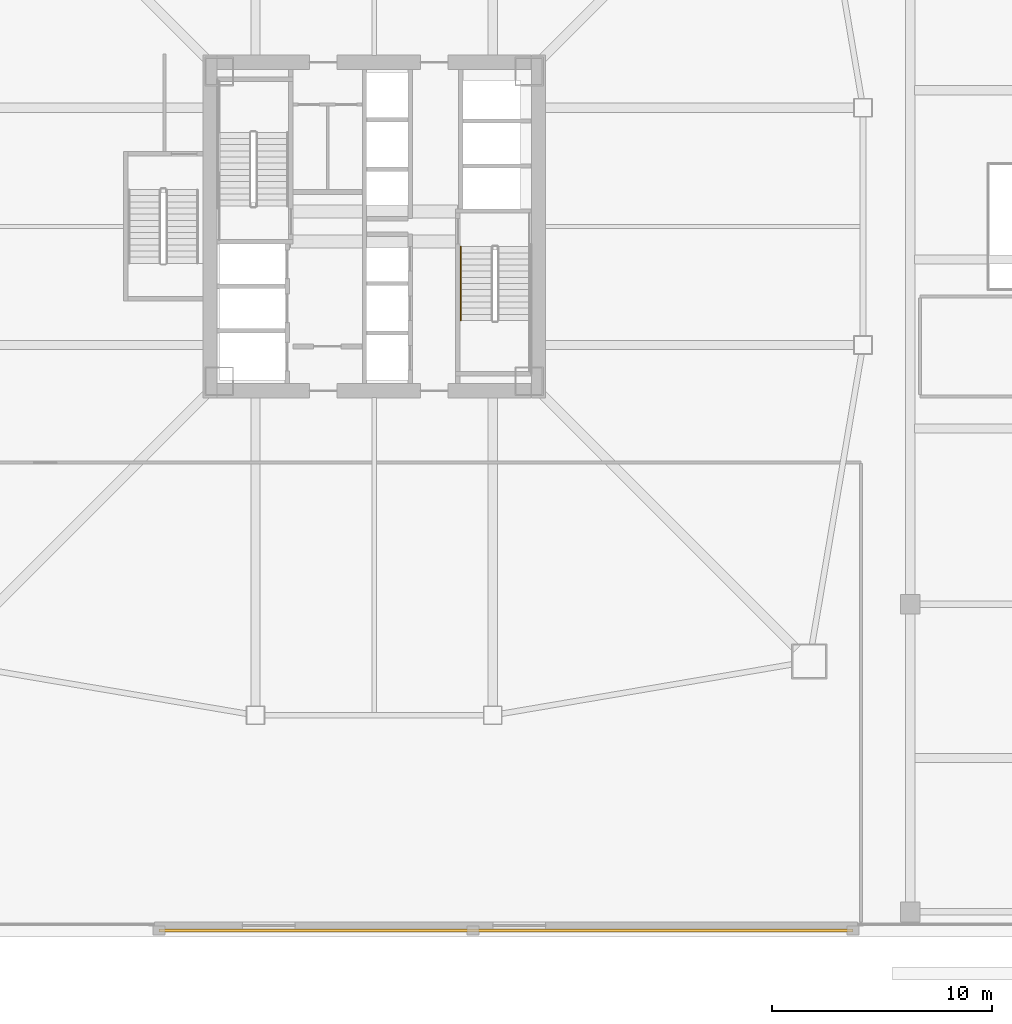
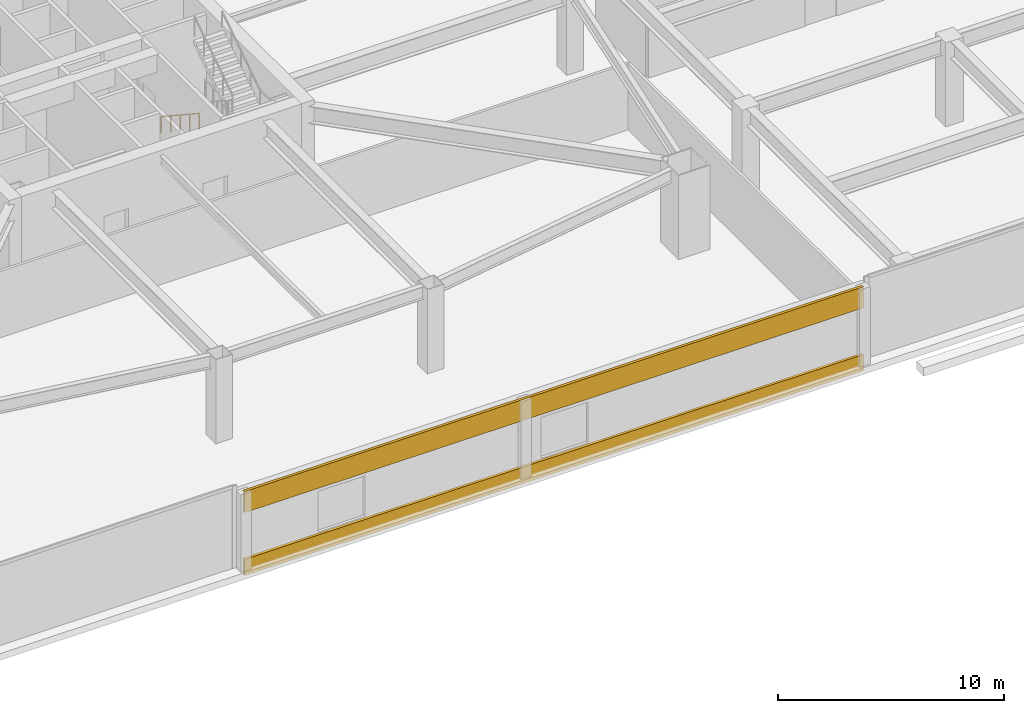
# One storey, part 37 of 44: 2 coverings, 1 railing.
"""IFC4 building model written with IfcOpenShell, lengths in metres."""

from ifc_helpers import new_model, si_unit, direction, frame, origin, origin_2d, place, context, subcontext, project, spatial, rectangle, extrude, material, layer, layer_set, type_object, element, save


model = new_model("IFC4")

# Units and contexts
model_context = context("Model", 3, precision=1e-05, world=origin(), true_north=direction((0.0, 1.0)))
body_context = subcontext(model_context, "Body", "Model", "MODEL_VIEW")
ifc_project = project(units=[si_unit("LENGTHUNIT", "METRE"), si_unit("AREAUNIT", "SQUARE_METRE"), si_unit("VOLUMEUNIT", "CUBIC_METRE"), si_unit("PLANEANGLEUNIT", "RADIAN"), si_unit("MASSUNIT", "GRAM", prefix="KILO")], contexts=[model_context])

# Site, building, storey
site_placement = place(None, origin())
site = spatial("IfcSite", under=ifc_project, at=site_placement, CompositionType="ELEMENT")
building_placement = place(site_placement, origin())
building = spatial("IfcBuilding", under=site, at=building_placement, Name="Tashvorn Skyway Center", CompositionType="ELEMENT")
storey_placement = place(building_placement, frame((0.0, 0.0, 5.39990234375)))
storey = spatial("IfcBuildingStorey", under=building, at=storey_placement, Name="L01", CompositionType="ELEMENT", Elevation=5.39990234375)

# Coverings
ifc_material_1 = material(Name="Precast concrete C40/50", Category="concrete")
ifc_layer = layer(ifc_material_1, 0.35009765625)
ifc_layer_set = layer_set([ifc_layer], Name="Precast concrete C40/50")
covering_type = type_object("IfcCoveringType", Name="COV-STONE-TRIM", PredefinedType="CLADDING", material=ifc_layer_set)
covering_1_placement = place(storey_placement, frame((48.0, -0.0400390625, 0.000244140625), z_axis=(0.0, 0.0, 1.0), x_axis=(1.0, 0.0, 0.0)))
element("IfcCovering", 1, at=covering_1_placement, inside=storey, type_object=covering_type, Name="L01 Limestone Sill Course S-M1", PredefinedType="CLADDING", context=body_context, shape_type="SweptSolid", body=[
    extrude(rectangle(XDim=31.60009765625, YDim=0.139892578125, at=origin_2d()), origin(), (0.0, 0.0, 1.0), 0.8798828125),
])
covering_2_placement = place(storey_placement, frame((48.0, -0.0400390625, 3.400390625), z_axis=(0.0, 0.0, 1.0), x_axis=(1.0, 0.0, 0.0)))
element("IfcCovering", 2, at=covering_2_placement, inside=storey, type_object=covering_type, Name="L01 Limestone Spandrel Course S-M1", PredefinedType="CLADDING", context=body_context, shape_type="SweptSolid", body=[
    extrude(rectangle(XDim=31.60009765625, YDim=0.139892578125, at=origin_2d()), origin(), (0.0, 0.0, 1.0), 1.139892578125),
])

# Railing
ifc_material_2 = material(Name="Brushed stainless steel 316", Category="steel")
railing_type = type_object("IfcRailingType", Name="RAIL-HAND-920", PredefinedType="HANDRAIL", material=ifc_material_2)
railing_placement = place(storey_placement, frame((45.949951171875, 31.080078125, 0.184814453125)))
element("IfcRailing", 3, at=railing_placement, inside=storey, type_object=railing_type, Name="L01 ST-T1-2 stair handrail 1", PredefinedType="HANDRAIL", context=body_context, shape_type="SweptSolid", body=[
    extrude(rectangle(XDim=0.048095703125, YDim=0.048095703125, at=origin_2d()), frame((0.0, 0.0, 0.8759765625), z_axis=(0.0, -0.834876476806, 0.550437342915), x_axis=(1.0, 0.0, 0.0)), (0.0, 0.0, 1.0), 4.024658203125),
    extrude(rectangle(XDim=0.0419921875, YDim=0.0419921875, at=origin_2d()), origin(), (0.0, 0.0, 1.0), 0.851806640625),
    extrude(rectangle(XDim=0.0419921875, YDim=0.0419921875, at=origin_2d()), frame((0.0, -0.840087890625, 0.5537109375)), (0.0, 0.0, 1.0), 0.851806640625),
    extrude(rectangle(XDim=0.0419921875, YDim=0.0419921875, at=origin_2d()), frame((0.0, -1.68017578125, 1.107666015625)), (0.0, 0.0, 1.0), 0.851806640625),
    extrude(rectangle(XDim=0.0419921875, YDim=0.0419921875, at=origin_2d()), frame((0.0, -2.52001953125, 1.66162109375)), (0.0, 0.0, 1.0), 0.851806640625),
    extrude(rectangle(XDim=0.0419921875, YDim=0.0419921875, at=origin_2d()), frame((0.0, -3.360107421875, 2.21533203125)), (0.0, 0.0, 1.0), 0.851806640625),
])

save(model, "model.ifc")
